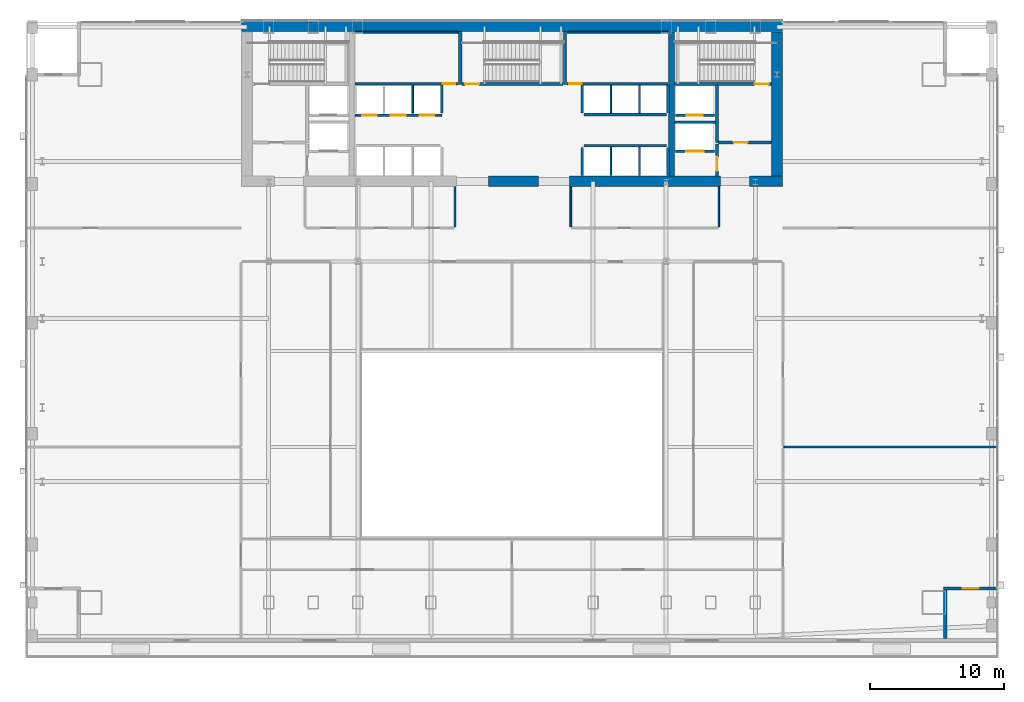
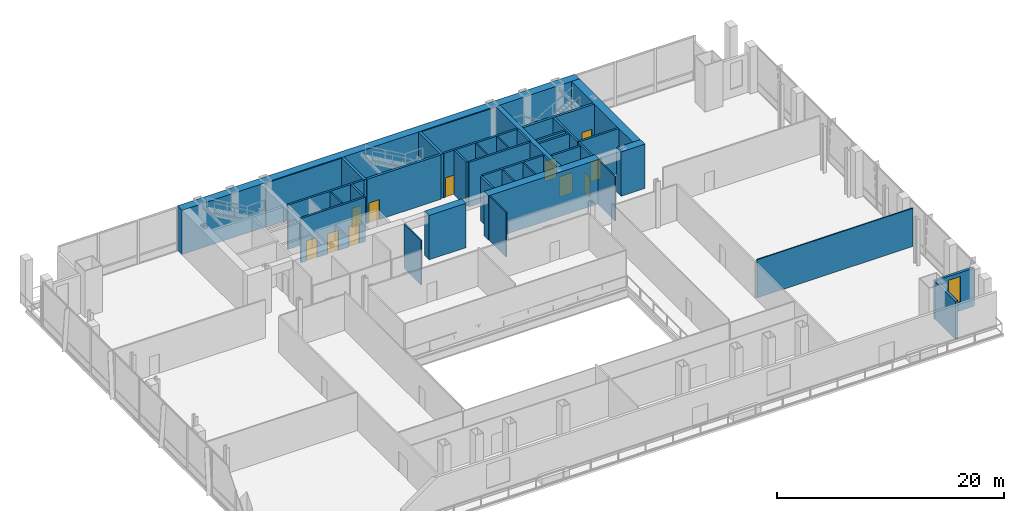
# One storey, part 21 of 25: 39 walls, 11 doors, 1 window, 12 openings.
"""IFC4 building model written with IfcOpenShell, lengths in metres."""

from ifc_helpers import new_model, si_unit, direction, frame, frame_2d, origin, place, context, subcontext, project, spatial, rectangle, extrude, material, layer, layer_set, type_object, element, fill, save


model = new_model("IFC4")

# Units and contexts
model_context = context("Model", 3, precision=1e-05, world=origin(), true_north=direction((0.0, 1.0)))
body_context = subcontext(model_context, "Body", "Model", "MODEL_VIEW")
ifc_project = project(units=[si_unit("LENGTHUNIT", "METRE"), si_unit("AREAUNIT", "SQUARE_METRE"), si_unit("VOLUMEUNIT", "CUBIC_METRE"), si_unit("PLANEANGLEUNIT", "RADIAN"), si_unit("MASSUNIT", "GRAM", prefix="KILO")], contexts=[model_context])

# Site, building, storey
site_placement = place(None, origin())
site = spatial("IfcSite", under=ifc_project, at=site_placement, CompositionType="ELEMENT")
building_placement = place(site_placement, origin())
building = spatial("IfcBuilding", under=site, at=building_placement, Name="Khoronbel Lancet Exchange", CompositionType="ELEMENT")
storey_placement = place(building_placement, frame((0.0, 0.0, 15.39990234375)))
storey = spatial("IfcBuildingStorey", under=building, at=storey_placement, Name="L03", CompositionType="ELEMENT", Elevation=15.39990234375)

# Walls
ifc_material_1 = material(Name="Concrete C80/95", Category="concrete")
ifc_layer_1 = layer(ifc_material_1, 0.800048828125, Name="Concrete C80/95")
ifc_layer_set_1 = layer_set([ifc_layer_1], Name="Concrete C80/95")
wall_type_1 = type_object("IfcWallType", Name="WL-CW1", PredefinedType="SHEAR", material=ifc_layer_set_1)
wall_1_placement = place(storey_placement, frame((16.199951171875, 53.300048828125, 0.0), z_axis=(0.0, 0.0, 1.0), x_axis=(1.0, 0.0, 0.0)))
element("IfcWall", 1, at=wall_1_placement, inside=storey, type_object=wall_type_1, Name="Level L03 rear core north shear wall", PredefinedType="SHEAR", context=body_context, shape_type="SweptSolid", body=[
    extrude(rectangle(XDim=40.5, YDim=0.800048828125, at=frame_2d((20.25, 0.0))), origin(), (0.0, 0.0, 1.0), 4.780029296875),
])
wall_2_placement = place(storey_placement, frame((56.300048828125, 52.89990234375, 0.0), z_axis=(0.0, 0.0, 1.0), x_axis=(0.0, -1.0, 0.0)))
element("IfcWall", 2, at=wall_2_placement, inside=storey, type_object=wall_type_1, Name="Level L03 rear core east shear wall", PredefinedType="SHEAR", context=body_context, shape_type="SweptSolid", body=[
    extrude(rectangle(XDim=10.7998046875, YDim=0.800048828125, at=frame_2d((5.39990234375, 0.0))), origin(), (0.0, 0.0, 1.0), 4.780029296875),
])
wall_3_placement = place(storey_placement, frame((38.449951171875, 41.699951171875, 0.0), z_axis=(0.0, 0.0, 1.0), x_axis=(-1.0, 0.0, 0.0)))
element("IfcWall", 3, at=wall_3_placement, inside=storey, type_object=wall_type_1, Name="Level L03 rear core south shear wall pier P3", PredefinedType="SHEAR", context=body_context, shape_type="SweptSolid", body=[
    extrude(rectangle(XDim=3.75, YDim=0.800048828125, at=frame_2d((1.875, 0.0))), origin(), (0.0, 0.0, 1.0), 4.780029296875),
])
wall_4_placement = place(storey_placement, frame((52.050048828125, 41.699951171875, 0.0), z_axis=(0.0, 0.0, 1.0), x_axis=(-1.0, 0.0, 0.0)))
element("IfcWall", 4, at=wall_4_placement, inside=storey, type_object=wall_type_1, Name="Level L03 rear core south shear wall pier P4", PredefinedType="SHEAR", context=body_context, shape_type="SweptSolid", body=[
    extrude(rectangle(XDim=11.300048828125, YDim=0.800048828125, at=frame_2d((5.64990234375, 0.0))), origin(), (0.0, 0.0, 1.0), 4.780029296875),
])
wall_5_placement = place(storey_placement, frame((56.699951171875, 41.699951171875, 0.0), z_axis=(0.0, 0.0, 1.0), x_axis=(-1.0, 0.0, 0.0)))
element("IfcWall", 5, at=wall_5_placement, inside=storey, type_object=wall_type_1, Name="Level L03 rear core south shear wall pier P5", PredefinedType="SHEAR", context=body_context, shape_type="SweptSolid", body=[
    extrude(rectangle(XDim=2.449951171875, YDim=0.800048828125, at=frame_2d((1.22509765625, 0.0))), origin(), (0.0, 0.0, 1.0), 4.780029296875),
])

# Wall, opening, window
ifc_material_2 = material(Name="Precast concrete C40/50", Category="concrete")
ifc_layer_2 = layer(ifc_material_2, 0.25, Name="Precast concrete C40/50")
ifc_layer_set_2 = layer_set([ifc_layer_2], Name="Precast concrete C40/50")
wall_type_2 = type_object("IfcWallType", Name="WL-EXT250", PredefinedType="SOLIDWALL", material=ifc_layer_set_2)
wall_6_placement = place(storey_placement, frame((72.820068359375, 11.199951171875, 0.0), z_axis=(0.0, 0.0, 1.0), x_axis=(-1.0, 0.0, 0.0)))
wall_6 = element("IfcWall", 6, at=wall_6_placement, inside=storey, type_object=wall_type_2, Name="Level L03 corner notch exterior wall SEL3", PredefinedType="SOLIDWALL", context=body_context, shape_type="SweptSolid", body=[
    extrude(rectangle(XDim=4.045166015625, YDim=0.25, at=frame_2d((2.0224609375, 0.0))), origin(), (0.0, 0.0, 1.0), 4.1201171875),
])
opening_1_placement = place(wall_6_placement, frame((1.422607421875, 0.0, 0.89990234375)))
opening_1 = element("IfcOpeningElement", 7, at=opening_1_placement, cuts=wall_6, Name="Opening W2", PredefinedType="OPENING", context=body_context, shape_type="SweptSolid", body=[
    extrude(rectangle(XDim=1.199951171875, YDim=2.800048828125, at=frame_2d((0.60009765625, 1.39990234375))), frame((0.0, 0.135009765625, 0.0), z_axis=(0.0, -1.0, 0.0), x_axis=(1.0, 0.0, 0.0)), (0.0, 0.0, 1.0), 0.27001953125),
])
ifc_material_3 = material(Name="Low-E Solar Control Insulating Glass", Category="glass")
window_type = type_object("IfcWindowType", Name="WIN-W2", PartitioningType="SINGLE_PANEL", PredefinedType="WINDOW", material=ifc_material_3)
window_placement = place(opening_1_placement, origin())
window = element("IfcWindow", 8, at=window_placement, inside=storey, type_object=window_type, Name="WIN-L03-SEL3", OverallHeight=2.800048828125, OverallWidth=1.199951171875, PartitioningType="SINGLE_PANEL", PredefinedType="WINDOW", context=body_context, shape_type="SweptSolid", body=[
    extrude(rectangle(XDim=1.199951171875, YDim=2.800048828125, at=frame_2d((0.60009765625, 1.39990234375))), frame((0.0, 0.030029296875, 0.0), z_axis=(0.0, -1.0, 0.0), x_axis=(1.0, 0.0, 0.0)), (0.0, 0.0, 1.0), 0.06005859375),
])
fill(opening_1, window)

# Walls
wall_7_placement = place(storey_placement, frame((68.89990234375, 11.074951171875, 0.0), z_axis=(0.0, 0.0, 1.0), x_axis=(0.0, -1.0, 0.0)))
element("IfcWall", 9, at=wall_7_placement, inside=storey, type_object=wall_type_2, Name="Level L03 corner notch exterior wall SEV3", PredefinedType="SOLIDWALL", context=body_context, shape_type="SweptSolid", body=[
    extrude(rectangle(XDim=3.625, YDim=0.25, at=frame_2d((1.8125, 0.0))), origin(), (0.0, 0.0, 1.0), 4.1201171875),
])
ifc_material_4 = material(Name="Acoustic Metal-Stud & Mineral-Wool Gypsum Partition 120 mm", Category="gypsum")
ifc_layer_3 = layer(ifc_material_4, 0.1201171875, Name="Acoustic Metal-Stud & Mineral-Wool Gypsum Partition 120 mm")
ifc_layer_set_3 = layer_set([ifc_layer_3], Name="Acoustic Metal-Stud & Mineral-Wool Gypsum Partition 120 mm")
wall_type_3 = type_object("IfcWallType", Name="WL-PRT120", PredefinedType="PARTITIONING", material=ifc_layer_set_3)
wall_8_placement = place(storey_placement, frame((56.820068359375, 21.800048828125, 0.0), z_axis=(0.0, 0.0, 1.0), x_axis=(1.0, 0.0, 0.0)))
element("IfcWall", 10, at=wall_8_placement, inside=storey, type_object=wall_type_3, Name="Level L03 interior partition PW-PD-EH", PredefinedType="PARTITIONING", context=body_context, shape_type="SweptSolid", body=[
    extrude(rectangle(XDim=15.89990234375, YDim=0.1201171875, at=frame_2d((7.949951171875, 0.0))), origin(), (0.0, 0.0, 1.0), 4.1201171875),
])
for number, where, z_axis, x_axis, name in (
    (11, (32.179931640625, 38.280029296875, 0.0), (0.0, 0.0, 1.0), (0.0, 1.0, 0.0), "Level L03 interior partition PW-PD-WC3"),
    (12, (40.85009765625, 38.280029296875, 0.0), (0.0, 0.0, 1.0), (0.0, 1.0, 0.0), "Level L03 interior partition PW-PD-NP0"),
    (13, (51.949951171875, 38.280029296875, 0.0), (0.0, 0.0, 1.0), (0.0, 1.0, 0.0), "Level L03 interior partition PW-PD-NP1"),
):
    element("IfcWall", number, at=place(storey_placement, frame(where, z_axis=z_axis, x_axis=x_axis)), inside=storey, type_object=wall_type_3, Name=name, PredefinedType="PARTITIONING", context=body_context, shape_type="SweptSolid", body=[
        extrude(rectangle(XDim=3.02001953125, YDim=0.1201171875, at=frame_2d((1.510009765625, 0.0))), origin(), (0.0, 0.0, 1.0), 4.780029296875),
    ])
ifc_material_5 = material(Name="Fire-Rated Metal-Stud & Mineral-Wool Gypsum Partition 120 mm", Category="gypsum")
ifc_layer_4 = layer(ifc_material_5, 0.1201171875, Name="Fire-Rated Metal-Stud & Mineral-Wool Gypsum Partition 120 mm")
ifc_layer_set_4 = layer_set([ifc_layer_4], Name="Fire-Rated Metal-Stud & Mineral-Wool Gypsum Partition 120 mm")
wall_type_4 = type_object("IfcWallType", Name="WL-PRT120F", PredefinedType="PARTITIONING", material=ifc_layer_set_4)
wall_9_placement = place(storey_placement, frame((29.02001953125, 46.800048828125, 0.0), z_axis=(0.0, 0.0, 1.0), x_axis=(0.0, 1.0, 0.0)))
element("IfcWall", 14, at=wall_9_placement, inside=storey, type_object=wall_type_4, Name="Level L03 interior partition CW-PL-D2", PredefinedType="PARTITIONING", context=body_context, shape_type="SweptSolid", body=[
    extrude(rectangle(XDim=2.094970703125, YDim=0.1201171875, at=frame_2d((1.04736328125, 0.0))), origin(), (0.0, 0.0, 1.0), 4.780029296875),
])
for number, where, z_axis, x_axis, name in (
    (15, (43.860107421875, 46.804931640625, 0.0), (0.0, 0.0, 1.0), (0.0, 1.0, 0.0), "Level L03 interior partition CW-PH-D1"),
    (16, (46.0, 46.804931640625, 0.0), (0.0, 0.0, 1.0), (0.0, 1.0, 0.0), "Level L03 interior partition CW-PH-D2"),
):
    element("IfcWall", number, at=place(storey_placement, frame(where, z_axis=z_axis, x_axis=x_axis)), inside=storey, type_object=wall_type_4, Name=name, PredefinedType="PARTITIONING", context=body_context, shape_type="SweptSolid", body=[
        extrude(rectangle(XDim=2.090087890625, YDim=0.1201171875, at=frame_2d((1.044921875, 0.0))), origin(), (0.0, 0.0, 1.0), 4.780029296875),
    ])
for number, where, z_axis, x_axis, name in (
    (17, (43.860107421875, 42.14990234375, 0.0), (0.0, 0.0, 1.0), (0.0, 1.0, 0.0), "Level L03 interior partition CW-PX-D1"),
    (18, (46.0, 42.14990234375, 0.0), (0.0, 0.0, 1.0), (0.0, 1.0, 0.0), "Level L03 interior partition CW-PX-D2"),
):
    element("IfcWall", number, at=place(storey_placement, frame(where, z_axis=z_axis, x_axis=x_axis)), inside=storey, type_object=wall_type_4, Name=name, PredefinedType="PARTITIONING", context=body_context, shape_type="SweptSolid", body=[
        extrude(rectangle(XDim=2.09521484375, YDim=0.1201171875, at=frame_2d((1.047607421875, 0.0))), origin(), (0.0, 0.0, 1.0), 4.780029296875),
    ])
wall_10_placement = place(storey_placement, frame((24.699951171875, 52.860107421875, 0.0), z_axis=(0.0, 0.0, 1.0), x_axis=(1.0, 0.0, 0.0)))
element("IfcWall", 19, at=wall_10_placement, inside=storey, type_object=wall_type_4, Name="Level L03 interior partition CW-SUP-NW-N", PredefinedType="PARTITIONING", context=body_context, shape_type="SweptSolid", body=[
    extrude(rectangle(XDim=7.719970703125, YDim=0.1201171875, at=frame_2d((3.85986328125, 0.0))), origin(), (0.0, 0.0, 1.0), 4.780029296875),
])
wall_11_placement = place(storey_placement, frame((40.580078125, 52.860107421875, 0.0), z_axis=(0.0, 0.0, 1.0), x_axis=(1.0, 0.0, 0.0)))
element("IfcWall", 20, at=wall_11_placement, inside=storey, type_object=wall_type_4, Name="Level L03 interior partition CW-SUP-NE-N", PredefinedType="PARTITIONING", context=body_context, shape_type="SweptSolid", body=[
    extrude(rectangle(XDim=7.559814453125, YDim=0.1201171875, at=frame_2d((3.77978515625, 0.0))), origin(), (0.0, 0.0, 1.0), 4.780029296875),
])

# Wall, opening, door
ifc_material_6 = material(Name="Autoclaved Aerated Concrete Blockwork 200 mm", Category="masonry")
ifc_layer_5 = layer(ifc_material_6, 0.199951171875, Name="Autoclaved Aerated Concrete Blockwork 200 mm")
ifc_layer_set_5 = layer_set([ifc_layer_5], Name="Autoclaved Aerated Concrete Blockwork 200 mm")
wall_type_5 = type_object("IfcWallType", Name="WL-PRT200", PredefinedType="PARTITIONING", material=ifc_layer_set_5)
wall_12_placement = place(storey_placement, frame((51.610107421875, 43.949951171875, 0.0), z_axis=(0.0, 0.0, 1.0), x_axis=(-1.0, 0.0, 0.0)))
wall_12 = element("IfcWall", 21, at=wall_12_placement, inside=storey, type_object=wall_type_5, Name="Level L03 elevator hoistway landing front wall SVLE", PredefinedType="PARTITIONING", context=body_context, shape_type="SweptSolid", body=[
    extrude(rectangle(XDim=2.920166015625, YDim=0.199951171875, at=frame_2d((1.4599609375, 0.0))), origin(), (0.0, 0.0, 1.0), 4.780029296875),
])
opening_2_placement = place(wall_12_placement, frame((0.81005859375, 0.0, 0.0)))
opening_2 = element("IfcOpeningElement", 22, at=opening_2_placement, cuts=wall_12, Name="Opening LD-SVL2", PredefinedType="OPENING", context=body_context, shape_type="SweptSolid", body=[
    extrude(rectangle(XDim=1.300048828125, YDim=2.179931640625, at=frame_2d((0.64990234375, 1.08984375))), frame((0.0, 0.10986328125, 0.0), z_axis=(0.0, -1.0, 0.0), x_axis=(1.0, 0.0, 0.0)), (0.0, 0.0, 1.0), 0.219970703125),
])
ifc_material_7 = material(Name="Heavy-Duty Bi-Parting Goods Lift Landing Door", Category="steel")
door_type_1 = type_object("IfcDoorType", Name="DR-LD-SVL", OperationType="NOTDEFINED", PredefinedType="DOOR", material=ifc_material_7)
door_1_placement = place(opening_2_placement, origin())
door_1 = element("IfcDoor", 23, at=door_1_placement, inside=storey, type_object=door_type_1, Name="Elevator landing sliding door LD-SVL2 L03", OperationType="SLIDING_TO_LEFT", OverallHeight=2.179931640625, OverallWidth=1.300048828125, PredefinedType="DOOR", context=body_context, shape_type="SweptSolid", body=[
    extrude(rectangle(XDim=1.300048828125, YDim=2.179931640625, at=frame_2d((0.64990234375, 1.08984375))), frame((0.0, 0.02490234375, 0.0), z_axis=(0.0, -1.0, 0.0), x_axis=(1.0, 0.0, 0.0)), (0.0, 0.0, 1.0), 0.050048828125),
])
fill(opening_2, door_1)

wall_13_placement = place(storey_placement, frame((51.610107421875, 46.64990234375, 0.0), z_axis=(0.0, 0.0, 1.0), x_axis=(-1.0, 0.0, 0.0)))
wall_13 = element("IfcWall", 24, at=wall_13_placement, inside=storey, type_object=wall_type_5, Name="Level L03 elevator hoistway landing front wall FFLE", PredefinedType="PARTITIONING", context=body_context, shape_type="SweptSolid", body=[
    extrude(rectangle(XDim=2.920166015625, YDim=0.199951171875, at=frame_2d((1.4599609375, 0.0))), origin(), (0.0, 0.0, 1.0), 4.780029296875),
])
opening_3_placement = place(wall_13_placement, frame((0.860107421875, 0.0, 0.0)))
opening_3 = element("IfcOpeningElement", 25, at=opening_3_placement, cuts=wall_13, Name="Opening LD-FFL2", PredefinedType="OPENING", context=body_context, shape_type="SweptSolid", body=[
    extrude(rectangle(XDim=1.199951171875, YDim=2.179931640625, at=frame_2d((0.60009765625, 1.08984375))), frame((0.0, 0.10986328125, 0.0), z_axis=(0.0, -1.0, 0.0), x_axis=(1.0, 0.0, 0.0)), (0.0, 0.0, 1.0), 0.219970703125),
])
ifc_material_8 = material(Name="Fire-Rated Stainless Bi-Parting Firefighting Lift Door", Category="steel")
door_type_2 = type_object("IfcDoorType", Name="DR-LD-FFL", OperationType="NOTDEFINED", PredefinedType="DOOR", material=ifc_material_8)
door_2_placement = place(opening_3_placement, origin())
door_2 = element("IfcDoor", 26, at=door_2_placement, inside=storey, type_object=door_type_2, Name="Elevator landing sliding door LD-FFL2 L03", OperationType="SLIDING_TO_LEFT", OverallHeight=2.179931640625, OverallWidth=1.199951171875, PredefinedType="DOOR", context=body_context, shape_type="SweptSolid", body=[
    extrude(rectangle(XDim=1.199951171875, YDim=2.179931640625, at=frame_2d((0.60009765625, 1.08984375))), frame((0.0, 0.02490234375, 0.0), z_axis=(0.0, -1.0, 0.0), x_axis=(1.0, 0.0, 0.0)), (0.0, 0.0, 1.0), 0.050048828125),
])
fill(opening_3, door_2)

# Wall, openings, doors
wall_14_placement = place(storey_placement, frame((31.219970703125, 46.64990234375, 0.0), z_axis=(0.0, 0.0, 1.0), x_axis=(-1.0, 0.0, 0.0)))
wall_14 = element("IfcWall", 27, at=wall_14_placement, inside=storey, type_object=wall_type_5, Name="Level L03 elevator hoistway landing front wall PLW", PredefinedType="PARTITIONING", context=body_context, shape_type="SweptSolid", body=[
    extrude(rectangle(XDim=6.530029296875, YDim=0.199951171875, at=frame_2d((3.26513671875, 0.0))), origin(), (0.0, 0.0, 1.0), 4.780029296875),
])
opening_4_placement = place(wall_14_placement, frame((4.89990234375, 0.0, 0.0)))
opening_4 = element("IfcOpeningElement", 28, at=opening_4_placement, cuts=wall_14, Name="Opening LD-PL1", PredefinedType="OPENING", context=body_context, shape_type="SweptSolid", body=[
    extrude(rectangle(XDim=1.10009765625, YDim=2.179931640625, at=frame_2d((0.550048828125, 1.08984375))), frame((0.0, 0.10986328125, 0.0), z_axis=(0.0, -1.0, 0.0), x_axis=(1.0, 0.0, 0.0)), (0.0, 0.0, 1.0), 0.219970703125),
])
opening_5_placement = place(wall_14_placement, frame((2.739990234375, 0.0, 0.0)))
opening_5 = element("IfcOpeningElement", 29, at=opening_5_placement, cuts=wall_14, Name="Opening LD-PL2", PredefinedType="OPENING", context=body_context, shape_type="SweptSolid", body=[
    extrude(rectangle(XDim=1.10009765625, YDim=2.179931640625, at=frame_2d((0.550048828125, 1.08984375))), frame((0.0, 0.10986328125, 0.0), z_axis=(0.0, -1.0, 0.0), x_axis=(1.0, 0.0, 0.0)), (0.0, 0.0, 1.0), 0.219970703125),
])
opening_6_placement = place(wall_14_placement, frame((0.580078125, 0.0, 0.0)))
opening_6 = element("IfcOpeningElement", 30, at=opening_6_placement, cuts=wall_14, Name="Opening LD-PL3", PredefinedType="OPENING", context=body_context, shape_type="SweptSolid", body=[
    extrude(rectangle(XDim=1.10009765625, YDim=2.179931640625, at=frame_2d((0.550048828125, 1.08984375))), frame((0.0, 0.10986328125, 0.0), z_axis=(0.0, -1.0, 0.0), x_axis=(1.0, 0.0, 0.0)), (0.0, 0.0, 1.0), 0.219970703125),
])
ifc_material_9 = material(Name="Brushed Bronze Bi-Parting Elevator Landing Door", Category="steel")
door_type_3 = type_object("IfcDoorType", Name="DR-LD-PAX", OperationType="NOTDEFINED", PredefinedType="DOOR", material=ifc_material_9)
door_3_placement = place(opening_4_placement, origin())
door_3 = element("IfcDoor", 31, at=door_3_placement, inside=storey, type_object=door_type_3, Name="Elevator landing sliding door LD-PL1 L03", OperationType="SLIDING_TO_LEFT", OverallHeight=2.179931640625, OverallWidth=1.10009765625, PredefinedType="DOOR", context=body_context, shape_type="SweptSolid", body=[
    extrude(rectangle(XDim=1.10009765625, YDim=2.179931640625, at=frame_2d((0.550048828125, 1.08984375))), frame((0.0, 0.02490234375, 0.0), z_axis=(0.0, -1.0, 0.0), x_axis=(1.0, 0.0, 0.0)), (0.0, 0.0, 1.0), 0.050048828125),
])
fill(opening_4, door_3)
door_4_placement = place(opening_5_placement, origin())
door_4 = element("IfcDoor", 32, at=door_4_placement, inside=storey, type_object=door_type_3, Name="Elevator landing sliding door LD-PL2 L03", OperationType="SLIDING_TO_LEFT", OverallHeight=2.179931640625, OverallWidth=1.10009765625, PredefinedType="DOOR", context=body_context, shape_type="SweptSolid", body=[
    extrude(rectangle(XDim=1.10009765625, YDim=2.179931640625, at=frame_2d((0.550048828125, 1.08984375))), frame((0.0, 0.02490234375, 0.0), z_axis=(0.0, -1.0, 0.0), x_axis=(1.0, 0.0, 0.0)), (0.0, 0.0, 1.0), 0.050048828125),
])
fill(opening_5, door_4)
door_5_placement = place(opening_6_placement, origin())
door_5 = element("IfcDoor", 33, at=door_5_placement, inside=storey, type_object=door_type_3, Name="Elevator landing sliding door LD-PL3 L03", OperationType="SLIDING_TO_LEFT", OverallHeight=2.179931640625, OverallWidth=1.10009765625, PredefinedType="DOOR", context=body_context, shape_type="SweptSolid", body=[
    extrude(rectangle(XDim=1.10009765625, YDim=2.179931640625, at=frame_2d((0.550048828125, 1.08984375))), frame((0.0, 0.02490234375, 0.0), z_axis=(0.0, -1.0, 0.0), x_axis=(1.0, 0.0, 0.0)), (0.0, 0.0, 1.0), 0.050048828125),
])
fill(opening_6, door_5)

# Wall
wall_15_placement = place(storey_placement, frame((51.800048828125, 44.60009765625, 0.0), z_axis=(0.0, 0.0, 1.0), x_axis=(0.0, 1.0, 0.0)))
element("IfcWall", 34, at=wall_15_placement, inside=storey, type_object=wall_type_5, Name="Level L03 interior partition CW-FFLE-W", PredefinedType="PARTITIONING", context=body_context, shape_type="SweptSolid", body=[
    extrude(rectangle(XDim=4.2998046875, YDim=0.199951171875, at=frame_2d((2.14990234375, 0.0))), origin(), (0.0, 0.0, 1.0), 4.780029296875),
])

# Wall, opening, door
wall_16_placement = place(storey_placement, frame((51.89990234375, 44.60009765625, 0.0), z_axis=(0.0, 0.0, 1.0), x_axis=(1.0, 0.0, 0.0)))
wall_16 = element("IfcWall", 35, at=wall_16_placement, inside=storey, type_object=wall_type_5, Name="Level L03 interior partition CW-FFLE-S", PredefinedType="PARTITIONING", context=body_context, shape_type="SweptSolid", body=[
    extrude(rectangle(XDim=4.0, YDim=0.199951171875, at=frame_2d((2.0, 0.0))), origin(), (0.0, 0.0, 1.0), 4.780029296875),
])
opening_7_placement = place(wall_16_placement, frame((1.14990234375, 0.0, 0.0)))
opening_7 = element("IfcOpeningElement", 36, at=opening_7_placement, cuts=wall_16, Name="Opening FD1", PredefinedType="OPENING", context=body_context, shape_type="SweptSolid", body=[
    extrude(rectangle(XDim=1.050048828125, YDim=2.14990234375, at=frame_2d((0.52490234375, 1.074951171875))), frame((0.0, 0.10986328125, 0.0), z_axis=(0.0, -1.0, 0.0), x_axis=(1.0, 0.0, 0.0)), (0.0, 0.0, 1.0), 0.219970703125),
])
ifc_material_10 = material(Name="Fire-Rated Painted Steel Door Assembly", Category="steel")
door_type_4 = type_object("IfcDoorType", Name="DR-FD1", OperationType="NOTDEFINED", PredefinedType="DOOR", material=ifc_material_10)
door_6_placement = place(opening_7_placement, origin())
door_6 = element("IfcDoor", 37, at=door_6_placement, inside=storey, type_object=door_type_4, Name="East firefighting lobby FD90S door L03-1", OperationType="SINGLE_SWING_RIGHT", OverallHeight=2.14990234375, OverallWidth=1.050048828125, PredefinedType="DOOR", context=body_context, shape_type="SweptSolid", body=[
    extrude(rectangle(XDim=1.050048828125, YDim=2.14990234375, at=frame_2d((0.52490234375, 1.074951171875))), frame((0.0, 0.02490234375, 0.0), z_axis=(0.0, -1.0, 0.0), x_axis=(1.0, 0.0, 0.0)), (0.0, 0.0, 1.0), 0.050048828125),
])
fill(opening_7, door_6)

# Wall
wall_17_placement = place(storey_placement, frame((48.6298828125, 46.1201171875, 0.0), z_axis=(0.0, 0.0, 1.0), x_axis=(1.0, 0.0, 0.0)))
element("IfcWall", 38, at=wall_17_placement, inside=storey, type_object=wall_type_5, Name="Level L03 interior partition CW-FFL2-S", PredefinedType="PARTITIONING", context=body_context, shape_type="SweptSolid", body=[
    extrude(rectangle(XDim=3.070068359375, YDim=0.199951171875, at=frame_2d((1.53515625, 0.0))), origin(), (0.0, 0.0, 1.0), 4.780029296875),
])

# Wall, opening, door
wall_18_placement = place(storey_placement, frame((51.800048828125, 42.10009765625, 0.0), z_axis=(0.0, 0.0, 1.0), x_axis=(0.0, 1.0, 0.0)))
wall_18 = element("IfcWall", 39, at=wall_18_placement, inside=storey, type_object=wall_type_5, Name="Level L03 interior partition CW-SVLE-E", PredefinedType="PARTITIONING", context=body_context, shape_type="SweptSolid", body=[
    extrude(rectangle(XDim=2.39501953125, YDim=0.199951171875, at=frame_2d((1.197509765625, 0.0))), origin(), (0.0, 0.0, 1.0), 4.780029296875),
])
opening_8_placement = place(wall_18_placement, frame((0.3798828125, 0.0, 0.0)))
opening_8 = element("IfcOpeningElement", 40, at=opening_8_placement, cuts=wall_18, Name="Opening FD1", PredefinedType="OPENING", context=body_context, shape_type="SweptSolid", body=[
    extrude(rectangle(XDim=1.050048828125, YDim=2.14990234375, at=frame_2d((0.52490234375, 1.074951171875))), frame((0.0, 0.10986328125, 0.0), z_axis=(0.0, -1.0, 0.0), x_axis=(1.0, 0.0, 0.0)), (0.0, 0.0, 1.0), 0.219970703125),
])
door_7_placement = place(opening_8_placement, origin())
door_7 = element("IfcDoor", 41, at=door_7_placement, inside=storey, type_object=door_type_4, Name="East service lift lobby door L03-1", OperationType="SINGLE_SWING_LEFT", OverallHeight=2.14990234375, OverallWidth=1.050048828125, PredefinedType="DOOR", context=body_context, shape_type="SweptSolid", body=[
    extrude(rectangle(XDim=1.050048828125, YDim=2.14990234375, at=frame_2d((0.52490234375, 1.074951171875))), frame((0.0, 0.02490234375, 0.0), z_axis=(0.0, -1.0, 0.0), x_axis=(1.0, 0.0, 0.0)), (0.0, 0.0, 1.0), 0.050048828125),
])
fill(opening_8, door_7)

# Walls
wall_19_placement = place(storey_placement, frame((31.179931640625, 46.800048828125, 0.0), z_axis=(0.0, 0.0, 1.0), x_axis=(0.0, 1.0, 0.0)))
element("IfcWall", 42, at=wall_19_placement, inside=storey, type_object=wall_type_5, Name="Level L03 interior partition CW-PL-E", PredefinedType="PARTITIONING", context=body_context, shape_type="SweptSolid", body=[
    extrude(rectangle(XDim=2.094970703125, YDim=0.199951171875, at=frame_2d((1.04736328125, 0.0))), origin(), (0.0, 0.0, 1.0), 4.780029296875),
])
wall_20_placement = place(storey_placement, frame((41.824951171875, 46.699951171875, 0.0), z_axis=(0.0, 0.0, 1.0), x_axis=(1.0, 0.0, 0.0)))
element("IfcWall", 43, at=wall_20_placement, inside=storey, type_object=wall_type_5, Name="Level L03 interior partition CW-PH-EXP", PredefinedType="PARTITIONING", context=body_context, shape_type="SweptSolid", body=[
    extrude(rectangle(XDim=6.2099609375, YDim=0.199951171875, at=frame_2d((3.10498046875, 0.0))), origin(), (0.0, 0.0, 1.0), 4.780029296875),
])
for number, where, z_axis, x_axis, name in (
    (44, (41.719970703125, 46.804931640625, 0.0), (0.0, 0.0, 1.0), (0.0, 1.0, 0.0), "Level L03 interior partition CW-PH-W"),
    (45, (48.139892578125, 46.804931640625, 0.0), (0.0, 0.0, 1.0), (0.0, 1.0, 0.0), "Level L03 interior partition CW-PH-E"),
):
    element("IfcWall", number, at=place(storey_placement, frame(where, z_axis=z_axis, x_axis=x_axis)), inside=storey, type_object=wall_type_5, Name=name, PredefinedType="PARTITIONING", context=body_context, shape_type="SweptSolid", body=[
        extrude(rectangle(XDim=2.090087890625, YDim=0.199951171875, at=frame_2d((1.044921875, 0.0))), origin(), (0.0, 0.0, 1.0), 4.780029296875),
    ])
wall_21_placement = place(storey_placement, frame((41.824951171875, 44.35009765625, 0.0), z_axis=(0.0, 0.0, 1.0), x_axis=(1.0, 0.0, 0.0)))
element("IfcWall", 46, at=wall_21_placement, inside=storey, type_object=wall_type_5, Name="Level L03 interior partition CW-PX-EXP", PredefinedType="PARTITIONING", context=body_context, shape_type="SweptSolid", body=[
    extrude(rectangle(XDim=6.2099609375, YDim=0.199951171875, at=frame_2d((3.10498046875, 0.0))), origin(), (0.0, 0.0, 1.0), 4.780029296875),
])
for number, where, z_axis, x_axis, name in (
    (47, (41.719970703125, 42.14990234375, 0.0), (0.0, 0.0, 1.0), (0.0, 1.0, 0.0), "Level L03 interior partition CW-PX-W"),
    (48, (48.139892578125, 42.14990234375, 0.0), (0.0, 0.0, 1.0), (0.0, 1.0, 0.0), "Level L03 interior partition CW-PX-E"),
):
    element("IfcWall", number, at=place(storey_placement, frame(where, z_axis=z_axis, x_axis=x_axis)), inside=storey, type_object=wall_type_5, Name=name, PredefinedType="PARTITIONING", context=body_context, shape_type="SweptSolid", body=[
        extrude(rectangle(XDim=2.09521484375, YDim=0.199951171875, at=frame_2d((1.047607421875, 0.0))), origin(), (0.0, 0.0, 1.0), 4.780029296875),
    ])

# Wall, opening, door
wall_22_placement = place(storey_placement, frame((24.699951171875, 49.0, 0.0), z_axis=(0.0, 0.0, 1.0), x_axis=(1.0, 0.0, 0.0)))
wall_22 = element("IfcWall", 49, at=wall_22_placement, inside=storey, type_object=wall_type_5, Name="Level L03 interior partition CW-SUP-NW-S", PredefinedType="PARTITIONING", context=body_context, shape_type="SweptSolid", body=[
    extrude(rectangle(XDim=7.719970703125, YDim=0.199951171875, at=frame_2d((3.85986328125, 0.0))), origin(), (0.0, 0.0, 1.0), 4.780029296875),
])
opening_9_placement = place(wall_22_placement, frame((6.56005859375, 0.0, 0.0)))
opening_9 = element("IfcOpeningElement", 50, at=opening_9_placement, cuts=wall_22, Name="Opening FD3", PredefinedType="OPENING", context=body_context, shape_type="SweptSolid", body=[
    extrude(rectangle(XDim=0.949951171875, YDim=2.10009765625, at=frame_2d((0.47509765625, 1.050048828125))), frame((0.0, 0.10986328125, 0.0), z_axis=(0.0, -1.0, 0.0), x_axis=(1.0, 0.0, 0.0)), (0.0, 0.0, 1.0), 0.219970703125),
])
ifc_material_11 = material(Name="Fire-Rated Steel Plant & Riser Door Assembly", Category="steel")
door_type_5 = type_object("IfcDoorType", Name="DR-FD3", OperationType="NOTDEFINED", PredefinedType="DOOR", material=ifc_material_11)
door_8_placement = place(opening_9_placement, origin())
door_8 = element("IfcDoor", 51, at=door_8_placement, inside=storey, type_object=door_type_5, Name="Core NW support room door L03-1", OperationType="SINGLE_SWING_RIGHT", OverallHeight=2.10009765625, OverallWidth=0.949951171875, PredefinedType="DOOR", context=body_context, shape_type="SweptSolid", body=[
    extrude(rectangle(XDim=0.949951171875, YDim=2.10009765625, at=frame_2d((0.47509765625, 1.050048828125))), frame((0.0, 0.02490234375, 0.0), z_axis=(0.0, -1.0, 0.0), x_axis=(1.0, 0.0, 0.0)), (0.0, 0.0, 1.0), 0.050048828125),
])
fill(opening_9, door_8)

wall_23_placement = place(storey_placement, frame((40.580078125, 49.0, 0.0), z_axis=(0.0, 0.0, 1.0), x_axis=(1.0, 0.0, 0.0)))
wall_23 = element("IfcWall", 52, at=wall_23_placement, inside=storey, type_object=wall_type_5, Name="Level L03 interior partition CW-SUP-NE-S", PredefinedType="PARTITIONING", context=body_context, shape_type="SweptSolid", body=[
    extrude(rectangle(XDim=7.559814453125, YDim=0.199951171875, at=frame_2d((3.77978515625, 0.0))), origin(), (0.0, 0.0, 1.0), 4.780029296875),
])
opening_10_placement = place(wall_23_placement, frame((0.159912109375, 0.0, 0.0)))
opening_10 = element("IfcOpeningElement", 53, at=opening_10_placement, cuts=wall_23, Name="Opening FD3", PredefinedType="OPENING", context=body_context, shape_type="SweptSolid", body=[
    extrude(rectangle(XDim=0.949951171875, YDim=2.10009765625, at=frame_2d((0.47509765625, 1.050048828125))), frame((0.0, 0.10986328125, 0.0), z_axis=(0.0, -1.0, 0.0), x_axis=(1.0, 0.0, 0.0)), (0.0, 0.0, 1.0), 0.219970703125),
])
door_9_placement = place(opening_10_placement, origin())
door_9 = element("IfcDoor", 54, at=door_9_placement, inside=storey, type_object=door_type_5, Name="Core NE support room door L03-1", OperationType="SINGLE_SWING_LEFT", OverallHeight=2.10009765625, OverallWidth=0.949951171875, PredefinedType="DOOR", context=body_context, shape_type="SweptSolid", body=[
    extrude(rectangle(XDim=0.949951171875, YDim=2.10009765625, at=frame_2d((0.47509765625, 1.050048828125))), frame((0.0, 0.02490234375, 0.0), z_axis=(0.0, -1.0, 0.0), x_axis=(1.0, 0.0, 0.0)), (0.0, 0.0, 1.0), 0.050048828125),
])
fill(opening_10, door_9)

# Walls
ifc_layer_6 = layer(ifc_material_1, 0.449951171875, Name="Concrete C80/95")
ifc_layer_set_6 = layer_set([ifc_layer_6], Name="Concrete C80/95")
wall_type_6 = type_object("IfcWallType", Name="WL-SW1", PredefinedType="SHEAR", material=ifc_layer_set_6)
wall_24_placement = place(storey_placement, frame((48.39990234375, 42.10009765625, 0.0), z_axis=(0.0, 0.0, 1.0), x_axis=(0.0, 1.0, 0.0)))
element("IfcWall", 55, at=wall_24_placement, inside=storey, type_object=wall_type_6, Name="Level L03 rear core internal spine shear wall IE", PredefinedType="SHEAR", context=body_context, shape_type="SweptSolid", body=[
    extrude(rectangle(XDim=10.7998046875, YDim=0.449951171875, at=frame_2d((5.39990234375, 0.0))), origin(), (0.0, 0.0, 1.0), 4.780029296875),
])
ifc_material_12 = material(Name="Concrete C60/75", Category="concrete")
ifc_layer_7 = layer(ifc_material_12, 0.260009765625, Name="Concrete C60/75")
ifc_layer_set_7 = layer_set([ifc_layer_7], Name="Concrete C60/75")
wall_type_7 = type_object("IfcWallType", Name="WL-SW3", PredefinedType="SHEAR", material=ifc_layer_set_7)
for number, where, z_axis, x_axis, name in (
    (56, (32.580078125, 48.949951171875, 0.0), (0.0, 0.0, 1.0), (0.0, 1.0, 0.0), "Level L03 central stairwell structural shear wall ST3W"),
    (57, (40.419921875, 48.949951171875, 0.0), (0.0, 0.0, 1.0), (0.0, 1.0, 0.0), "Level L03 central stairwell structural shear wall ST3E"),
):
    element("IfcWall", number, at=place(storey_placement, frame(where, z_axis=z_axis, x_axis=x_axis)), inside=storey, type_object=wall_type_7, Name=name, PredefinedType="SHEAR", context=body_context, shape_type="SweptSolid", body=[
        extrude(rectangle(XDim=3.949951171875, YDim=0.260009765625, at=frame_2d((1.97509765625, 0.0))), origin(), (0.0, 0.0, 1.0), 4.780029296875),
    ])

# Wall, opening, door
wall_25_placement = place(storey_placement, frame((48.6298828125, 48.97998046875, 0.0), z_axis=(0.0, 0.0, 1.0), x_axis=(1.0, 0.0, 0.0)))
wall_25 = element("IfcWall", 58, at=wall_25_placement, inside=storey, type_object=wall_type_7, Name="Level L03 east stairwell structural south wall", PredefinedType="SHEAR", context=body_context, shape_type="SweptSolid", body=[
    extrude(rectangle(XDim=7.27001953125, YDim=0.239990234375, at=frame_2d((3.635009765625, 0.0))), origin(), (0.0, 0.0, 1.0), 4.780029296875),
])
opening_11_placement = place(wall_25_placement, frame((6.0, 0.0, 0.0)))
opening_11 = element("IfcOpeningElement", 59, at=opening_11_placement, cuts=wall_25, Name="Opening SD1", PredefinedType="OPENING", context=body_context, shape_type="SweptSolid", body=[
    extrude(rectangle(XDim=1.050048828125, YDim=2.14990234375, at=frame_2d((0.52490234375, 1.074951171875))), frame((0.0, 0.1298828125, 0.0), z_axis=(0.0, -1.0, 0.0), x_axis=(1.0, 0.0, 0.0)), (0.0, 0.0, 1.0), 0.260009765625),
])
ifc_material_13 = material(Name="Fire-Rated Steel Stairwell Door Assembly", Category="steel")
door_type_6 = type_object("IfcDoorType", Name="DR-SD1", OperationType="NOTDEFINED", PredefinedType="DOOR", material=ifc_material_13)
door_10_placement = place(opening_11_placement, origin())
door_10 = element("IfcDoor", 60, at=door_10_placement, inside=storey, type_object=door_type_6, Name="Protected exit stair ST2 door L03", OperationType="SINGLE_SWING_RIGHT", OverallHeight=2.14990234375, OverallWidth=1.050048828125, PredefinedType="DOOR", context=body_context, shape_type="SweptSolid", body=[
    extrude(rectangle(XDim=1.050048828125, YDim=2.14990234375, at=frame_2d((0.52490234375, 1.074951171875))), frame((0.0, 0.02490234375, 0.0), z_axis=(0.0, -1.0, 0.0), x_axis=(1.0, 0.0, 0.0)), (0.0, 0.0, 1.0), 0.050048828125),
])
fill(opening_11, door_10)

wall_26_placement = place(storey_placement, frame((32.719970703125, 48.97998046875, 0.0), z_axis=(0.0, 0.0, 1.0), x_axis=(1.0, 0.0, 0.0)))
wall_26 = element("IfcWall", 61, at=wall_26_placement, inside=storey, type_object=wall_type_7, Name="Level L03 central stairwell structural south wall", PredefinedType="SHEAR", context=body_context, shape_type="SweptSolid", body=[
    extrude(rectangle(XDim=7.56005859375, YDim=0.239990234375, at=frame_2d((3.780029296875, 0.0))), origin(), (0.0, 0.0, 1.0), 4.780029296875),
])
opening_12_placement = place(wall_26_placement, frame((0.219970703125, 0.0, 0.0)))
opening_12 = element("IfcOpeningElement", 62, at=opening_12_placement, cuts=wall_26, Name="Opening SD1", PredefinedType="OPENING", context=body_context, shape_type="SweptSolid", body=[
    extrude(rectangle(XDim=1.050048828125, YDim=2.14990234375, at=frame_2d((0.52490234375, 1.074951171875))), frame((0.0, 0.1298828125, 0.0), z_axis=(0.0, -1.0, 0.0), x_axis=(1.0, 0.0, 0.0)), (0.0, 0.0, 1.0), 0.260009765625),
])
door_11_placement = place(opening_12_placement, origin())
door_11 = element("IfcDoor", 63, at=door_11_placement, inside=storey, type_object=door_type_6, Name="Protected exit stair ST3 door L03", OperationType="SINGLE_SWING_LEFT", OverallHeight=2.14990234375, OverallWidth=1.050048828125, PredefinedType="DOOR", context=body_context, shape_type="SweptSolid", body=[
    extrude(rectangle(XDim=1.050048828125, YDim=2.14990234375, at=frame_2d((0.52490234375, 1.074951171875))), frame((0.0, 0.02490234375, 0.0), z_axis=(0.0, -1.0, 0.0), x_axis=(1.0, 0.0, 0.0)), (0.0, 0.0, 1.0), 0.050048828125),
])
fill(opening_12, door_11)

save(model, "model.ifc")
